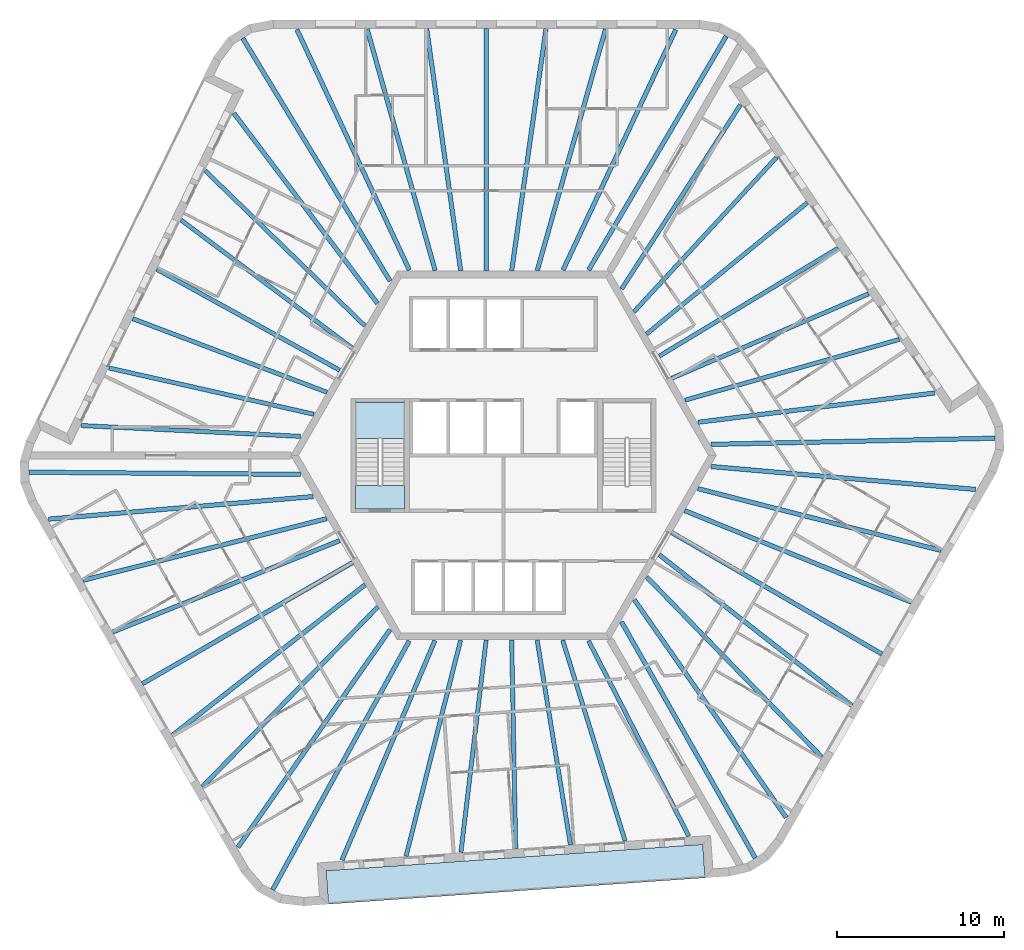
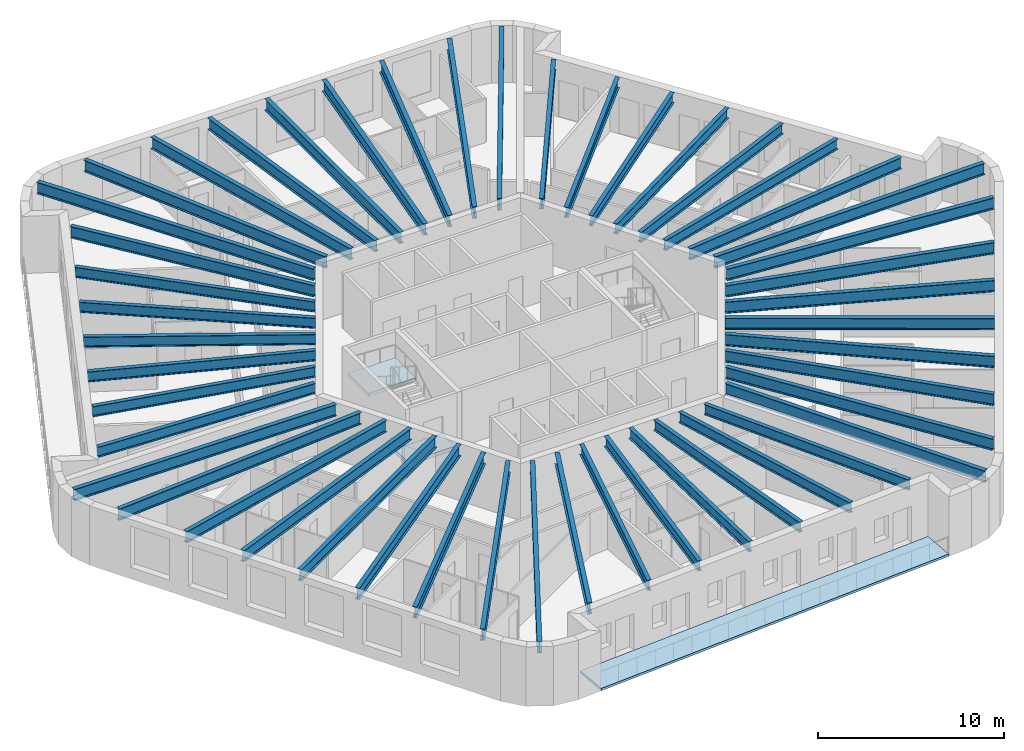
# One storey, part 1 of 12: 48 beams, 3 slabs, 1 element without a shape of its own.
"""IFC4 building model written with IfcOpenShell, lengths in metres."""

from ifc_helpers import new_model, si_unit, direction, frame, origin, origin_2d, place, context, subcontext, project, spatial, polyline, i_section, outline, extrude, material, layer, layer_set, material_profile, profile_set, type_object, element, aggregate, save


model = new_model("IFC4")

# Units and contexts
model_context = context("Model", 3, precision=1e-05, world=origin(), true_north=direction((0.0, 1.0)))
body_context = subcontext(model_context, "Body", "Model", "MODEL_VIEW")
ifc_project = project(units=[si_unit("LENGTHUNIT", "METRE"), si_unit("AREAUNIT", "SQUARE_METRE"), si_unit("VOLUMEUNIT", "CUBIC_METRE"), si_unit("PLANEANGLEUNIT", "RADIAN"), si_unit("MASSUNIT", "GRAM", prefix="KILO")], contexts=[model_context])

# Site, building, storey
site_placement = place(None, origin())
site = spatial("IfcSite", under=ifc_project, at=site_placement, CompositionType="ELEMENT")
building_placement = place(site_placement, origin())
building = spatial("IfcBuilding", under=site, at=building_placement, Name="Tarnside Tower", CompositionType="ELEMENT")
storey_placement = place(building_placement, frame((0.0, 0.0, 260.10009765625)))
storey = spatial("IfcBuildingStorey", under=building, at=storey_placement, Name="L62", CompositionType="ELEMENT", Elevation=260.10009765625)

# Beams
ifc_material_1 = material(Name="Steel S355", Category="steel")
ifc_material_profile_1 = material_profile(ifc_material_1, i_section(OverallWidth=0.2529296875, OverallDepth=0.677978515625, WebThickness=0.01171875, FlangeThickness=0.01611328125, FilletRadius=0.01513671875, at=origin_2d()), Name="UB 686x254x125")
ifc_profile_set_1 = profile_set([ifc_material_profile_1], Name="Steel S355")
beam_type_1 = type_object("IfcBeamType", Name="Floor beam UB 686x254x125", PredefinedType="BEAM", material=ifc_profile_set_1)
beam_1_placement = place(storey_placement, frame((-17.811279296875, 17.002197265625, 3.410888671875), z_axis=(0.717190986424, -0.696876666988, 0.0), x_axis=(0.696876666988, 0.717190986424, 0.0)))
element("IfcBeam", 1, at=beam_1_placement, inside=storey, type_object=beam_type_1, Name="Floor beam F2.02", PredefinedType="BEAM", context=body_context, shape_type="SweptSolid", body=[
    extrude(i_section(OverallWidth=0.2529296875, OverallDepth=0.677978515625, WebThickness=0.01171875, FlangeThickness=0.01611328125, FilletRadius=0.01513671875, at=origin_2d()), origin(), (0.0, 0.0, 1.0), 13.2919921875),
])
beam_2_placement = place(storey_placement, frame((-19.25, 14.0498046875, 3.410888671875), z_axis=(0.801006417676, -0.598655759883, 0.0), x_axis=(0.598655759883, 0.801006417676, 0.0)))
element("IfcBeam", 2, at=beam_2_placement, inside=storey, type_object=beam_type_1, Name="Floor beam F2.03", PredefinedType="BEAM", context=body_context, shape_type="SweptSolid", body=[
    extrude(i_section(OverallWidth=0.2529296875, OverallDepth=0.677978515625, WebThickness=0.01171875, FlangeThickness=0.01611328125, FilletRadius=0.01513671875, at=origin_2d()), origin(), (0.0, 0.0, 1.0), 12.764892578125),
])
beam_3_placement = place(storey_placement, frame((-20.70458984375, 11.111572265625, 3.410888671875), z_axis=(0.875666768762, -0.482915841619, 0.0), x_axis=(0.482915841619, 0.875666768762, 0.0)))
element("IfcBeam", 3, at=beam_3_placement, inside=storey, type_object=beam_type_1, Name="Floor beam F2.04", PredefinedType="BEAM", context=body_context, shape_type="SweptSolid", body=[
    extrude(i_section(OverallWidth=0.2529296875, OverallDepth=0.677978515625, WebThickness=0.01171875, FlangeThickness=0.01611328125, FilletRadius=0.01513671875, at=origin_2d()), origin(), (0.0, 0.0, 1.0), 12.468994140625),
])
beam_4_placement = place(storey_placement, frame((-22.141357421875, 8.165771484375, 3.410888671875), z_axis=(0.935116350489, -0.354340811998, 0.0), x_axis=(0.354340811998, 0.935116350489, 0.0)))
element("IfcBeam", 4, at=beam_4_placement, inside=storey, type_object=beam_type_1, Name="Floor beam F2.05", PredefinedType="BEAM", context=body_context, shape_type="SweptSolid", body=[
    extrude(i_section(OverallWidth=0.2529296875, OverallDepth=0.677978515625, WebThickness=0.01171875, FlangeThickness=0.01611328125, FilletRadius=0.01513671875, at=origin_2d()), origin(), (0.0, 0.0, 1.0), 12.399169921875),
])
beam_5_placement = place(storey_placement, frame((-23.556884765625, 5.2197265625, 3.410888671875), z_axis=(0.975445185376, -0.220242344534, 0.0), x_axis=(0.220242344534, 0.975445185376, 0.0)))
element("IfcBeam", 5, at=beam_5_placement, inside=storey, type_object=beam_type_1, Name="Floor beam F2.06", PredefinedType="BEAM", context=body_context, shape_type="SweptSolid", body=[
    extrude(i_section(OverallWidth=0.2529296875, OverallDepth=0.677978515625, WebThickness=0.01171875, FlangeThickness=0.01611328125, FilletRadius=0.01513671875, at=origin_2d()), origin(), (0.0, 0.0, 1.0), 12.538330078125),
])
beam_6_placement = place(storey_placement, frame((-25.214599609375, 1.7841796875, 3.410888671875), z_axis=(0.998783137237, -0.049317793651, 0.0), x_axis=(0.049317793651, 0.998783137237, 0.0)))
element("IfcBeam", 6, at=beam_6_placement, inside=storey, type_object=beam_type_1, Name="Floor beam F2.07", PredefinedType="BEAM", context=body_context, shape_type="SweptSolid", body=[
    extrude(i_section(OverallWidth=0.2529296875, OverallDepth=0.677978515625, WebThickness=0.01171875, FlangeThickness=0.01611328125, FilletRadius=0.01513671875, at=origin_2d()), origin(), (0.0, 0.0, 1.0), 13.103515625),
])
beam_7_placement = place(storey_placement, frame((-5.818603515625, -23.92626953125, 3.410888671875), z_axis=(0.244907502604, 0.969546448175, 0.0), x_axis=(-0.969546448175, 0.244907502604, 0.0)))
element("IfcBeam", 7, at=beam_7_placement, inside=storey, type_object=beam_type_1, Name="Floor beam F4.02", PredefinedType="BEAM", context=body_context, shape_type="SweptSolid", body=[
    extrude(i_section(OverallWidth=0.2529296875, OverallDepth=0.677978515625, WebThickness=0.01171875, FlangeThickness=0.01611328125, FilletRadius=0.01513671875, at=origin_2d()), origin(), (0.0, 0.0, 1.0), 13.292236328125),
])
beam_8_placement = place(storey_placement, frame((-2.54248046875, -23.69580078125, 3.410888671875), z_axis=(0.117949762105, 0.993019563563, 0.0), x_axis=(-0.993019563563, 0.117949762105, 0.0)))
element("IfcBeam", 8, at=beam_8_placement, inside=storey, type_object=beam_type_1, Name="Floor beam F4.03", PredefinedType="BEAM", context=body_context, shape_type="SweptSolid", body=[
    extrude(i_section(OverallWidth=0.2529296875, OverallDepth=0.677978515625, WebThickness=0.01171875, FlangeThickness=0.01611328125, FilletRadius=0.01513671875, at=origin_2d()), origin(), (0.0, 0.0, 1.0), 12.764892578125),
])
beam_9_placement = place(storey_placement, frame((0.7294921875, -23.486328125, 3.410888671875), z_axis=(-0.019619426101, 0.999807520536, 0.0), x_axis=(-0.999807520536, -0.019619426101, 0.0)))
element("IfcBeam", 9, at=beam_9_placement, inside=storey, type_object=beam_type_1, Name="Floor beam F4.04", PredefinedType="BEAM", context=body_context, shape_type="SweptSolid", body=[
    extrude(i_section(OverallWidth=0.2529296875, OverallDepth=0.677978515625, WebThickness=0.01171875, FlangeThickness=0.01611328125, FilletRadius=0.01513671875, at=origin_2d()), origin(), (0.0, 0.0, 1.0), 12.46875),
])
beam_10_placement = place(storey_placement, frame((3.9990234375, -23.2578125, 3.410888671875), z_axis=(-0.160690769029, 0.987004800773, 0.0), x_axis=(-0.987004800773, -0.160690769029, 0.0)))
element("IfcBeam", 10, at=beam_10_placement, inside=storey, type_object=beam_type_1, Name="Floor beam F4.05", PredefinedType="BEAM", context=body_context, shape_type="SweptSolid", body=[
    extrude(i_section(OverallWidth=0.2529296875, OverallDepth=0.677978515625, WebThickness=0.01171875, FlangeThickness=0.01611328125, FilletRadius=0.01513671875, at=origin_2d()), origin(), (0.0, 0.0, 1.0), 12.399169921875),
])
beam_11_placement = place(storey_placement, frame((7.258056640625, -23.0107421875, 3.410888671875), z_axis=(-0.296997512057, 0.954878252885, 0.0), x_axis=(-0.954878252885, -0.296997512057, 0.0)))
element("IfcBeam", 11, at=beam_11_placement, inside=storey, type_object=beam_type_1, Name="Floor beam F4.06", PredefinedType="BEAM", context=body_context, shape_type="SweptSolid", body=[
    extrude(i_section(OverallWidth=0.2529296875, OverallDepth=0.677978515625, WebThickness=0.01171875, FlangeThickness=0.01611328125, FilletRadius=0.01513671875, at=origin_2d()), origin(), (0.0, 0.0, 1.0), 12.538330078125),
])
beam_12_placement = place(storey_placement, frame((11.06201171875, -22.728515625, 3.410888671875), z_axis=(-0.456683143477, 0.889629420862, 0.0), x_axis=(-0.889629420862, -0.456683143477, 0.0)))
element("IfcBeam", 12, at=beam_12_placement, inside=storey, type_object=beam_type_1, Name="Floor beam F4.07", PredefinedType="BEAM", context=body_context, shape_type="SweptSolid", body=[
    extrude(i_section(OverallWidth=0.2529296875, OverallDepth=0.677978515625, WebThickness=0.01171875, FlangeThickness=0.01611328125, FilletRadius=0.01513671875, at=origin_2d()), origin(), (0.0, 0.0, 1.0), 13.103515625),
])
beam_13_placement = place(storey_placement, frame((23.6298828125, 6.924072265625, 3.410888671875), z_axis=(-0.962104001021, -0.272682766636, 0.0), x_axis=(0.272682766636, -0.962104001021, 0.0)))
element("IfcBeam", 13, at=beam_13_placement, inside=storey, type_object=beam_type_1, Name="Floor beam F6.02", PredefinedType="BEAM", context=body_context, shape_type="SweptSolid", body=[
    extrude(i_section(OverallWidth=0.2529296875, OverallDepth=0.677978515625, WebThickness=0.01171875, FlangeThickness=0.01611328125, FilletRadius=0.01513671875, at=origin_2d()), origin(), (0.0, 0.0, 1.0), 13.2919921875),
])
beam_14_placement = place(storey_placement, frame((21.792236328125, 9.64599609375, 3.410888671875), z_axis=(-0.918954980534, -0.394362452258, 0.0), x_axis=(0.394362452258, -0.918954980534, 0.0)))
element("IfcBeam", 14, at=beam_14_placement, inside=storey, type_object=beam_type_1, Name="Floor beam F6.03", PredefinedType="BEAM", context=body_context, shape_type="SweptSolid", body=[
    extrude(i_section(OverallWidth=0.2529296875, OverallDepth=0.677978515625, WebThickness=0.01171875, FlangeThickness=0.01611328125, FilletRadius=0.01513671875, at=origin_2d()), origin(), (0.0, 0.0, 1.0), 12.7646484375),
])
beam_15_placement = place(storey_placement, frame((19.97509765625, 12.375, 3.410888671875), z_axis=(-0.856046953876, -0.516898068055, 0.0), x_axis=(0.516898068055, -0.856046953876, 0.0)))
element("IfcBeam", 15, at=beam_15_placement, inside=storey, type_object=beam_type_1, Name="Floor beam F6.04", PredefinedType="BEAM", context=body_context, shape_type="SweptSolid", body=[
    extrude(i_section(OverallWidth=0.2529296875, OverallDepth=0.677978515625, WebThickness=0.01171875, FlangeThickness=0.01611328125, FilletRadius=0.01513671875, at=origin_2d()), origin(), (0.0, 0.0, 1.0), 12.46875),
])
beam_16_placement = place(storey_placement, frame((18.142333984375, 15.092041015625, 3.410888671875), z_axis=(-0.774438707576, -0.632648945473, 0.0), x_axis=(0.632648945473, -0.774438707576, 0.0)))
element("IfcBeam", 16, at=beam_16_placement, inside=storey, type_object=beam_type_1, Name="Floor beam F6.05", PredefinedType="BEAM", context=body_context, shape_type="SweptSolid", body=[
    extrude(i_section(OverallWidth=0.2529296875, OverallDepth=0.677978515625, WebThickness=0.01171875, FlangeThickness=0.01611328125, FilletRadius=0.01513671875, at=origin_2d()), origin(), (0.0, 0.0, 1.0), 12.39892578125),
])
beam_17_placement = place(storey_placement, frame((16.299072265625, 17.791015625, 3.410888671875), z_axis=(-0.67846123451, -0.734636204708, 0.0), x_axis=(0.734636204708, -0.67846123451, 0.0)))
element("IfcBeam", 17, at=beam_17_placement, inside=storey, type_object=beam_type_1, Name="Floor beam F6.06", PredefinedType="BEAM", context=body_context, shape_type="SweptSolid", body=[
    extrude(i_section(OverallWidth=0.2529296875, OverallDepth=0.677978515625, WebThickness=0.01171875, FlangeThickness=0.01611328125, FilletRadius=0.01513671875, at=origin_2d()), origin(), (0.0, 0.0, 1.0), 12.538330078125),
])
beam_18_placement = place(storey_placement, frame((14.152587890625, 20.9443359375, 3.410888671875), z_axis=(-0.54209970956, -0.840314170352, 0.0), x_axis=(0.840314170352, -0.54209970956, 0.0)))
element("IfcBeam", 18, at=beam_18_placement, inside=storey, type_object=beam_type_1, Name="Floor beam F6.07", PredefinedType="BEAM", context=body_context, shape_type="SweptSolid", body=[
    extrude(i_section(OverallWidth=0.2529296875, OverallDepth=0.677978515625, WebThickness=0.01171875, FlangeThickness=0.01611328125, FilletRadius=0.01513671875, at=origin_2d()), origin(), (0.0, 0.0, 1.0), 13.103759765625),
])
ifc_material_profile_2 = material_profile(ifc_material_1, i_section(OverallWidth=0.26513671875, OverallDepth=0.75390625, WebThickness=0.0126953125, FlangeThickness=0.017578125, FilletRadius=0.0166015625, at=origin_2d()), Name="UB 762x267x147")
ifc_profile_set_2 = profile_set([ifc_material_profile_2], Name="Steel S355")
beam_type_2 = type_object("IfcBeamType", Name="Floor beam UB 762x267x147", PredefinedType="BEAM", material=ifc_profile_set_2)
beam_19_placement = place(storey_placement, frame((6.093505859375, 25.46142578125, 3.372802734375), z_axis=(-0.272147186115, -0.962255636039, 0.0), x_axis=(0.962255636039, -0.272147186115, 0.0)))
element("IfcBeam", 19, at=beam_19_placement, inside=storey, type_object=beam_type_2, Name="Floor beam F1.02", PredefinedType="BEAM", context=body_context, shape_type="SweptSolid", body=[
    extrude(i_section(OverallWidth=0.26513671875, OverallDepth=0.75390625, WebThickness=0.0126953125, FlangeThickness=0.017578125, FilletRadius=0.0166015625, at=origin_2d()), origin(), (0.0, 0.0, 1.0), 14.988525390625),
])
beam_20_placement = place(storey_placement, frame((2.537109375, 25.480224609375, 3.372802734375), z_axis=(-0.140349428967, -0.990102034029, 0.0), x_axis=(0.990102034029, -0.140349428967, 0.0)))
element("IfcBeam", 20, at=beam_20_placement, inside=storey, type_object=beam_type_2, Name="Floor beam F1.03", PredefinedType="BEAM", context=body_context, shape_type="SweptSolid", body=[
    extrude(i_section(OverallWidth=0.26513671875, OverallDepth=0.75390625, WebThickness=0.0126953125, FlangeThickness=0.017578125, FilletRadius=0.0166015625, at=origin_2d()), origin(), (0.0, 0.0, 1.0), 14.60498046875),
])
beam_21_placement = place(storey_placement, frame((-1.02490234375, 25.5, 3.372802734375), z_axis=(-0.000656653953, -0.999999784403, 0.0), x_axis=(0.999999784403, -0.000656653953, 0.0)))
element("IfcBeam", 21, at=beam_21_placement, inside=storey, type_object=beam_type_2, Name="Floor beam F1.04", PredefinedType="BEAM", context=body_context, shape_type="SweptSolid", body=[
    extrude(i_section(OverallWidth=0.26513671875, OverallDepth=0.75390625, WebThickness=0.0126953125, FlangeThickness=0.017578125, FilletRadius=0.0166015625, at=origin_2d()), origin(), (0.0, 0.0, 1.0), 14.5),
])
beam_22_placement = place(storey_placement, frame((-4.5869140625, 25.480224609375, 3.372802734375), z_axis=(0.139070897001, -0.990282427193, 0.0), x_axis=(0.990282427193, 0.139070897001, 0.0)))
element("IfcBeam", 22, at=beam_22_placement, inside=storey, type_object=beam_type_2, Name="Floor beam F1.05", PredefinedType="BEAM", context=body_context, shape_type="SweptSolid", body=[
    extrude(i_section(OverallWidth=0.26513671875, OverallDepth=0.75390625, WebThickness=0.0126953125, FlangeThickness=0.017578125, FilletRadius=0.0166015625, at=origin_2d()), origin(), (0.0, 0.0, 1.0), 14.602294921875),
])
beam_23_placement = place(storey_placement, frame((-8.1435546875, 25.46142578125, 3.372802734375), z_axis=(0.270985274434, -0.962583493023, 0.0), x_axis=(0.962583493023, 0.270985274434, 0.0)))
element("IfcBeam", 23, at=beam_23_placement, inside=storey, type_object=beam_type_2, Name="Floor beam F1.06", PredefinedType="BEAM", context=body_context, shape_type="SweptSolid", body=[
    extrude(i_section(OverallWidth=0.26513671875, OverallDepth=0.75390625, WebThickness=0.0126953125, FlangeThickness=0.017578125, FilletRadius=0.0166015625, at=origin_2d()), origin(), (0.0, 0.0, 1.0), 14.9833984375),
])
beam_24_placement = place(storey_placement, frame((-16.101318359375, 20.43212890625, 3.372802734375), z_axis=(0.602566097863, -0.798068980543, 0.0), x_axis=(0.798068980543, 0.602566097863, 0.0)))
element("IfcBeam", 24, at=beam_24_placement, inside=storey, type_object=beam_type_2, Name="Floor beam F2.01", PredefinedType="BEAM", context=body_context, shape_type="SweptSolid", body=[
    extrude(i_section(OverallWidth=0.26513671875, OverallDepth=0.75390625, WebThickness=0.0126953125, FlangeThickness=0.017578125, FilletRadius=0.0166015625, at=origin_2d()), origin(), (0.0, 0.0, 1.0), 14.231201171875),
])
beam_25_placement = place(storey_placement, frame((-25.09716796875, -7.45361328125, 3.372802734375), z_axis=(0.969413823687, 0.245431942592, 0.0), x_axis=(-0.245431942592, 0.969413823687, 0.0)))
element("IfcBeam", 25, at=beam_25_placement, inside=storey, type_object=beam_type_2, Name="Floor beam F3.02", PredefinedType="BEAM", context=body_context, shape_type="SweptSolid", body=[
    extrude(i_section(OverallWidth=0.26513671875, OverallDepth=0.75390625, WebThickness=0.0126953125, FlangeThickness=0.017578125, FilletRadius=0.0166015625, at=origin_2d()), origin(), (0.0, 0.0, 1.0), 14.98876953125),
])
beam_26_placement = place(storey_placement, frame((-23.3349609375, -10.54296875, 3.372802734375), z_axis=(0.927625766949, 0.373510958998, 0.0), x_axis=(-0.373510958998, 0.927625766949, 0.0)))
element("IfcBeam", 26, at=beam_26_placement, inside=storey, type_object=beam_type_2, Name="Floor beam F3.03", PredefinedType="BEAM", context=body_context, shape_type="SweptSolid", body=[
    extrude(i_section(OverallWidth=0.26513671875, OverallDepth=0.75390625, WebThickness=0.0126953125, FlangeThickness=0.017578125, FilletRadius=0.0166015625, at=origin_2d()), origin(), (0.0, 0.0, 1.0), 14.60498046875),
])
beam_27_placement = place(storey_placement, frame((-21.5712890625, -13.6376953125, 3.372802734375), z_axis=(0.866357363831, 0.499424587036, 0.0), x_axis=(-0.499424587036, 0.866357363831, 0.0)))
element("IfcBeam", 27, at=beam_27_placement, inside=storey, type_object=beam_type_2, Name="Floor beam F3.04", PredefinedType="BEAM", context=body_context, shape_type="SweptSolid", body=[
    extrude(i_section(OverallWidth=0.26513671875, OverallDepth=0.75390625, WebThickness=0.0126953125, FlangeThickness=0.017578125, FilletRadius=0.0166015625, at=origin_2d()), origin(), (0.0, 0.0, 1.0), 14.5),
])
beam_28_placement = place(storey_placement, frame((-19.77294921875, -16.71240234375, 3.372802734375), z_axis=(0.788074813552, 0.615579473541, 0.0), x_axis=(-0.615579473541, 0.788074813552, 0.0)))
element("IfcBeam", 28, at=beam_28_placement, inside=storey, type_object=beam_type_2, Name="Floor beam F3.05", PredefinedType="BEAM", context=body_context, shape_type="SweptSolid", body=[
    extrude(i_section(OverallWidth=0.26513671875, OverallDepth=0.75390625, WebThickness=0.0126953125, FlangeThickness=0.017578125, FilletRadius=0.0166015625, at=origin_2d()), origin(), (0.0, 0.0, 1.0), 14.60205078125),
])
beam_29_placement = place(storey_placement, frame((-17.978515625, -19.783203125, 3.372802734375), z_axis=(0.698129580508, 0.71597143017, 0.0), x_axis=(-0.71597143017, 0.698129580508, 0.0)))
element("IfcBeam", 29, at=beam_29_placement, inside=storey, type_object=beam_type_2, Name="Floor beam F3.06", PredefinedType="BEAM", context=body_context, shape_type="SweptSolid", body=[
    extrude(i_section(OverallWidth=0.26513671875, OverallDepth=0.75390625, WebThickness=0.0126953125, FlangeThickness=0.017578125, FilletRadius=0.0166015625, at=origin_2d()), origin(), (0.0, 0.0, 1.0), 14.983642578125),
])
beam_30_placement = place(storey_placement, frame((-9.64404296875, -24.160400390625, 3.372802734375), z_axis=(0.389873911801, 0.920868249478, 0.0), x_axis=(-0.920868249478, 0.389873911801, 0.0)))
element("IfcBeam", 30, at=beam_30_placement, inside=storey, type_object=beam_type_2, Name="Floor beam F4.01", PredefinedType="BEAM", context=body_context, shape_type="SweptSolid", body=[
    extrude(i_section(OverallWidth=0.26513671875, OverallDepth=0.75390625, WebThickness=0.0126953125, FlangeThickness=0.017578125, FilletRadius=0.0166015625, at=origin_2d()), origin(), (0.0, 0.0, 1.0), 14.231201171875),
])
beam_31_placement = place(storey_placement, frame((19.00341796875, -18.008056640625, 3.372802734375), z_axis=(-0.697249797022, 0.716828236437, 0.0), x_axis=(-0.716828236437, -0.697249797022, 0.0)))
element("IfcBeam", 31, at=beam_31_placement, inside=storey, type_object=beam_type_2, Name="Floor beam F5.02", PredefinedType="BEAM", context=body_context, shape_type="SweptSolid", body=[
    extrude(i_section(OverallWidth=0.26513671875, OverallDepth=0.75390625, WebThickness=0.0126953125, FlangeThickness=0.017578125, FilletRadius=0.0166015625, at=origin_2d()), origin(), (0.0, 0.0, 1.0), 14.98876953125),
])
beam_32_placement = place(storey_placement, frame((20.798095703125, -14.937255859375, 3.372802734375), z_axis=(-0.787282014804, 0.616593082321, 0.0), x_axis=(-0.616593082321, -0.787282014804, 0.0)))
element("IfcBeam", 32, at=beam_32_placement, inside=storey, type_object=beam_type_2, Name="Floor beam F5.03", PredefinedType="BEAM", context=body_context, shape_type="SweptSolid", body=[
    extrude(i_section(OverallWidth=0.26513671875, OverallDepth=0.75390625, WebThickness=0.0126953125, FlangeThickness=0.017578125, FilletRadius=0.0166015625, at=origin_2d()), origin(), (0.0, 0.0, 1.0), 14.60498046875),
])
beam_33_placement = place(storey_placement, frame((22.59619140625, -11.8623046875, 3.372802734375), z_axis=(-0.865697438889, 0.500567622106, 0.0), x_axis=(-0.500567622106, -0.865697438889, 0.0)))
element("IfcBeam", 33, at=beam_33_placement, inside=storey, type_object=beam_type_2, Name="Floor beam F5.04", PredefinedType="BEAM", context=body_context, shape_type="SweptSolid", body=[
    extrude(i_section(OverallWidth=0.26513671875, OverallDepth=0.75390625, WebThickness=0.0126953125, FlangeThickness=0.017578125, FilletRadius=0.0166015625, at=origin_2d()), origin(), (0.0, 0.0, 1.0), 14.500244140625),
])
beam_34_placement = place(storey_placement, frame((24.35986328125, -8.767578125, 3.372802734375), z_axis=(-0.927145907531, 0.374700501933, 0.0), x_axis=(-0.374700501933, -0.927145907531, 0.0)))
element("IfcBeam", 34, at=beam_34_placement, inside=storey, type_object=beam_type_2, Name="Floor beam F5.05", PredefinedType="BEAM", context=body_context, shape_type="SweptSolid", body=[
    extrude(i_section(OverallWidth=0.26513671875, OverallDepth=0.75390625, WebThickness=0.0126953125, FlangeThickness=0.017578125, FilletRadius=0.0166015625, at=origin_2d()), origin(), (0.0, 0.0, 1.0), 14.60205078125),
])
beam_35_placement = place(storey_placement, frame((26.1220703125, -5.67822265625, 3.372802734375), z_axis=(-0.969115089144, 0.246608888716, 0.0), x_axis=(-0.246608888716, -0.969115089144, 0.0)))
element("IfcBeam", 35, at=beam_35_placement, inside=storey, type_object=beam_type_2, Name="Floor beam F5.06", PredefinedType="BEAM", context=body_context, shape_type="SweptSolid", body=[
    extrude(i_section(OverallWidth=0.26513671875, OverallDepth=0.75390625, WebThickness=0.0126953125, FlangeThickness=0.017578125, FilletRadius=0.0166015625, at=origin_2d()), origin(), (0.0, 0.0, 1.0), 14.9833984375),
])
beam_36_placement = place(storey_placement, frame((25.745361328125, 3.72802734375, 3.372802734375), z_axis=(-0.992433598491, -0.122782541866, 0.0), x_axis=(0.122782541866, -0.992433598491, 0.0)))
element("IfcBeam", 36, at=beam_36_placement, inside=storey, type_object=beam_type_2, Name="Floor beam F6.01", PredefinedType="BEAM", context=body_context, shape_type="SweptSolid", body=[
    extrude(i_section(OverallWidth=0.26513671875, OverallDepth=0.75390625, WebThickness=0.0126953125, FlangeThickness=0.017578125, FilletRadius=0.0166015625, at=origin_2d()), origin(), (0.0, 0.0, 1.0), 14.23095703125),
])
ifc_material_profile_3 = material_profile(ifc_material_1, i_section(OverallWidth=0.2666015625, OverallDepth=0.76220703125, WebThickness=0.014404296875, FlangeThickness=0.021484375, FilletRadius=0.0166015625, at=origin_2d()), Name="UB 762x267x173")
ifc_profile_set_3 = profile_set([ifc_material_profile_3], Name="Steel S355")
beam_type_3 = type_object("IfcBeamType", Name="Floor beam UB 762x267x173", PredefinedType="BEAM", material=ifc_profile_set_3)
beam_37_placement = place(storey_placement, frame((10.285400390625, 25.427490234375, 3.368896484375), z_axis=(-0.424439399801, -0.905456346765, 0.0), x_axis=(0.905456346765, -0.424439399801, 0.0)))
element("IfcBeam", 37, at=beam_37_placement, inside=storey, type_object=beam_type_3, Name="Floor beam F1.01", PredefinedType="BEAM", context=body_context, shape_type="SweptSolid", body=[
    extrude(i_section(OverallWidth=0.2666015625, OverallDepth=0.76220703125, WebThickness=0.014404296875, FlangeThickness=0.021484375, FilletRadius=0.0166015625, at=origin_2d()), origin(), (0.0, 0.0, 1.0), 15.853759765625),
])
beam_38_placement = place(storey_placement, frame((-12.335205078125, 25.427490234375, 3.368896484375), z_axis=(0.423453877267, -0.905917663934, 0.0), x_axis=(0.905917663934, 0.423453877267, 0.0)))
element("IfcBeam", 38, at=beam_38_placement, inside=storey, type_object=beam_type_3, Name="Floor beam F1.07", PredefinedType="BEAM", context=body_context, shape_type="SweptSolid", body=[
    extrude(i_section(OverallWidth=0.2666015625, OverallDepth=0.76220703125, WebThickness=0.014404296875, FlangeThickness=0.021484375, FilletRadius=0.0166015625, at=origin_2d()), origin(), (0.0, 0.0, 1.0), 15.845703125),
])
beam_39_placement = place(storey_placement, frame((-15.5703125, 24.91162109375, 3.368896484375), z_axis=(0.518716683755, -0.854946198304, 0.0), x_axis=(0.854946198304, 0.518716683755, 0.0)))
element("IfcBeam", 39, at=beam_39_placement, inside=storey, type_object=beam_type_3, Name="Floor beam C1", PredefinedType="BEAM", context=body_context, shape_type="SweptSolid", body=[
    extrude(i_section(OverallWidth=0.2666015625, OverallDepth=0.76220703125, WebThickness=0.014404296875, FlangeThickness=0.021484375, FilletRadius=0.0166015625, at=origin_2d()), origin(), (0.0, 0.0, 1.0), 16.961181640625),
])
beam_40_placement = place(storey_placement, frame((-28.3291015625, -1.0009765625, 3.368896484375), z_axis=(0.999966651082, -0.008166806173, 0.0), x_axis=(0.008166806173, 0.999966651082, 0.0)))
element("IfcBeam", 40, at=beam_40_placement, inside=storey, type_object=beam_type_3, Name="Floor beam C2", PredefinedType="BEAM", context=body_context, shape_type="SweptSolid", body=[
    extrude(i_section(OverallWidth=0.2666015625, OverallDepth=0.76220703125, WebThickness=0.014404296875, FlangeThickness=0.021484375, FilletRadius=0.0166015625, at=origin_2d()), origin(), (0.0, 0.0, 1.0), 16.20263671875),
])
beam_41_placement = place(storey_placement, frame((-27.16357421875, -3.806396484375, 3.368896484375), z_axis=(0.996367434748, 0.085158293626, 0.0), x_axis=(-0.085158293626, 0.996367434748, 0.0)))
element("IfcBeam", 41, at=beam_41_placement, inside=storey, type_object=beam_type_3, Name="Floor beam F3.01", PredefinedType="BEAM", context=body_context, shape_type="SweptSolid", body=[
    extrude(i_section(OverallWidth=0.2666015625, OverallDepth=0.76220703125, WebThickness=0.014404296875, FlangeThickness=0.021484375, FilletRadius=0.0166015625, at=origin_2d()), origin(), (0.0, 0.0, 1.0), 15.85400390625),
])
beam_42_placement = place(storey_placement, frame((-15.853271484375, -23.396484375, 3.368896484375), z_axis=(0.572816933654, 0.819683329414, 0.0), x_axis=(-0.819683329414, 0.572816933654, 0.0)))
element("IfcBeam", 42, at=beam_42_placement, inside=storey, type_object=beam_type_3, Name="Floor beam F3.07", PredefinedType="BEAM", context=body_context, shape_type="SweptSolid", body=[
    extrude(i_section(OverallWidth=0.2666015625, OverallDepth=0.76220703125, WebThickness=0.014404296875, FlangeThickness=0.021484375, FilletRadius=0.0166015625, at=origin_2d()), origin(), (0.0, 0.0, 1.0), 15.84619140625),
])
beam_43_placement = place(storey_placement, frame((-13.788818359375, -25.93994140625, 3.368896484375), z_axis=(0.481036073107, 0.876700802081, 0.0), x_axis=(-0.876700802081, 0.481036073107, 0.0)))
element("IfcBeam", 43, at=beam_43_placement, inside=storey, type_object=beam_type_3, Name="Floor beam C3", PredefinedType="BEAM", context=body_context, shape_type="SweptSolid", body=[
    extrude(i_section(OverallWidth=0.2666015625, OverallDepth=0.76220703125, WebThickness=0.014404296875, FlangeThickness=0.021484375, FilletRadius=0.0166015625, at=origin_2d()), origin(), (0.0, 0.0, 1.0), 16.961181640625),
])
beam_44_placement = place(storey_placement, frame((15.031494140625, -24.033447265625, 3.368896484375), z_axis=(-0.49290801997, 0.870081423689, 0.0), x_axis=(-0.870081423689, -0.49290801997, 0.0)))
element("IfcBeam", 44, at=beam_44_placement, inside=storey, type_object=beam_type_3, Name="Floor beam C4", PredefinedType="BEAM", context=body_context, shape_type="SweptSolid", body=[
    extrude(i_section(OverallWidth=0.2666015625, OverallDepth=0.76220703125, WebThickness=0.014404296875, FlangeThickness=0.021484375, FilletRadius=0.0166015625, at=origin_2d()), origin(), (0.0, 0.0, 1.0), 16.202880859375),
])
beam_45_placement = place(storey_placement, frame((16.87841796875, -21.62109375, 3.368896484375), z_axis=(-0.571946235641, 0.82029110902, 0.0), x_axis=(-0.82029110902, -0.571946235641, 0.0)))
element("IfcBeam", 45, at=beam_45_placement, inside=storey, type_object=beam_type_3, Name="Floor beam F5.01", PredefinedType="BEAM", context=body_context, shape_type="SweptSolid", body=[
    extrude(i_section(OverallWidth=0.2666015625, OverallDepth=0.76220703125, WebThickness=0.014404296875, FlangeThickness=0.021484375, FilletRadius=0.0166015625, at=origin_2d()), origin(), (0.0, 0.0, 1.0), 15.85400390625),
])
beam_46_placement = place(storey_placement, frame((28.1884765625, -2.03125, 3.368896484375), z_axis=(-0.996273584651, 0.086249316098, 0.0), x_axis=(-0.086249316098, -0.996273584651, 0.0)))
element("IfcBeam", 46, at=beam_46_placement, inside=storey, type_object=beam_type_3, Name="Floor beam F5.07", PredefinedType="BEAM", context=body_context, shape_type="SweptSolid", body=[
    extrude(i_section(OverallWidth=0.2666015625, OverallDepth=0.76220703125, WebThickness=0.014404296875, FlangeThickness=0.021484375, FilletRadius=0.0166015625, at=origin_2d()), origin(), (0.0, 0.0, 1.0), 15.845947265625),
])
beam_47_placement = place(storey_placement, frame((29.359130859375, 1.028564453125, 3.368896484375), z_axis=(-0.999763142455, -0.02176370807, 0.0), x_axis=(0.02176370807, -0.999763142455, 0.0)))
element("IfcBeam", 47, at=beam_47_placement, inside=storey, type_object=beam_type_3, Name="Floor beam C5", PredefinedType="BEAM", context=body_context, shape_type="SweptSolid", body=[
    extrude(i_section(OverallWidth=0.2666015625, OverallDepth=0.76220703125, WebThickness=0.014404296875, FlangeThickness=0.021484375, FilletRadius=0.0166015625, at=origin_2d()), origin(), (0.0, 0.0, 1.0), 16.961181640625),
])
beam_48_placement = place(storey_placement, frame((13.2978515625, 25.0341796875, 3.368896484375), z_axis=(-0.507080048325, -0.861898964259, 0.0), x_axis=(0.861898964259, -0.507080048325, 0.0)))
element("IfcBeam", 48, at=beam_48_placement, inside=storey, type_object=beam_type_3, Name="Floor beam C6", PredefinedType="BEAM", context=body_context, shape_type="SweptSolid", body=[
    extrude(i_section(OverallWidth=0.2666015625, OverallDepth=0.76220703125, WebThickness=0.014404296875, FlangeThickness=0.021484375, FilletRadius=0.0166015625, at=origin_2d()), origin(), (0.0, 0.0, 1.0), 16.20263671875),
])

# Slabs
ifc_material_2 = material(Name="Concrete C40/50", Category="concrete")
ifc_layer_1 = layer(ifc_material_2, 0.25)
ifc_layer_set_1 = layer_set([ifc_layer_1], Name="Core slab C40/50")
slab_type_1 = type_object("IfcSlabType", Name="Core slab C40/50", PredefinedType="FLOOR", material=ifc_layer_set_1)
slab_1_placement = place(storey_placement, frame((0.0, 0.0, -0.25)))
element("IfcSlab", 49, at=slab_1_placement, inside=storey, type_object=slab_type_1, Name="L62 core floor slab 2", PredefinedType="FLOOR", context=body_context, shape_type="SweptSolid", body=[
    extrude(outline(polyline([(-8.85009765625, -3.199951171875), (-8.85009765625, -1.800048828125), (-5.89990234375, -1.800048828125), (-5.89990234375, -3.199951171875), (-8.85009765625, -3.199951171875)])), origin(), (0.0, 0.0, 1.0), 0.25),
])
ifc_material_3 = material(Name="Timber decking", Category="wood")
ifc_layer_2 = layer(ifc_material_3, 0.0400390625)
ifc_material_4 = material(Name="Concrete C60/75 precast", Category="concrete")
ifc_layer_3 = layer(ifc_material_4, 0.110107421875)
ifc_layer_set_2 = layer_set([ifc_layer_2, ifc_layer_3], Name="Loggia deck 150")
slab_type_2 = type_object("IfcSlabType", Name="Loggia deck 150", PredefinedType="FLOOR", material=ifc_layer_set_2)
slab_2_placement = place(storey_placement, frame((0.0, 0.0, -0.150146484375)))
element("IfcSlab", 50, at=slab_2_placement, inside=storey, type_object=slab_type_2, Name="Loggia deck L62 F4", PredefinedType="FLOOR", context=body_context, shape_type="SweptSolid", body=[
    extrude(outline(polyline([(-10.593017578125, -24.79931640625), (11.896728515625, -23.226806640625), (12.036376953125, -25.221923828125), (-10.45361328125, -26.79443359375), (-10.593017578125, -24.79931640625)])), origin(), (0.0, 0.0, 1.0), 0.150146484375),
])

# Stair, slab
stair_type = type_object("IfcStairType", Name="Exit stair 1400 clear", PredefinedType="HALF_TURN_STAIR", material=ifc_material_2)
stair_placement = place(storey_placement, origin())
stair = element("IfcStair", 51, at=stair_placement, inside=storey, type_object=stair_type, Name="L62 Exit stair 2", PredefinedType="HALF_TURN_STAIR")
ifc_layer_4 = layer(ifc_material_2, 0.199951171875)
ifc_layer_set_3 = layer_set([ifc_layer_4], Name="Stair landing 200 C40/50")
slab_type_3 = type_object("IfcSlabType", Name="Stair landing 200 C40/50", PredefinedType="LANDING", material=ifc_layer_set_3)
slab_3_placement = place(storey_placement, frame((0.0, 0.0, 1.75)))
slab_3 = element("IfcSlab", 52, at=slab_3_placement, type_object=slab_type_3, Name="ST2 landing 1", PredefinedType="LANDING", context=body_context, shape_type="SweptSolid", body=[
    extrude(outline(polyline([(-5.89990234375, 1.0), (-5.89990234375, 3.199951171875), (-8.85009765625, 3.199951171875), (-8.85009765625, 1.0), (-5.89990234375, 1.0)])), origin(), (0.0, 0.0, 1.0), 0.199951171875),
])
aggregate(stair, [slab_3])

save(model, "model.ifc")
